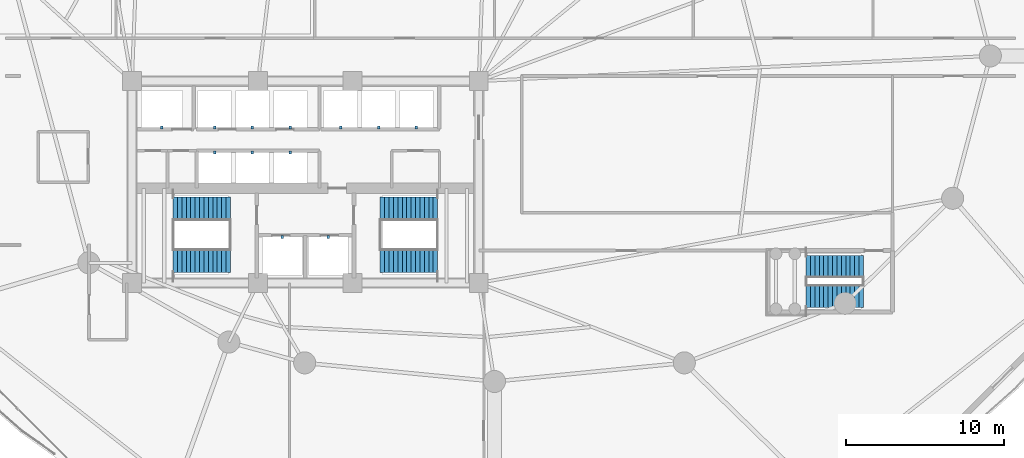
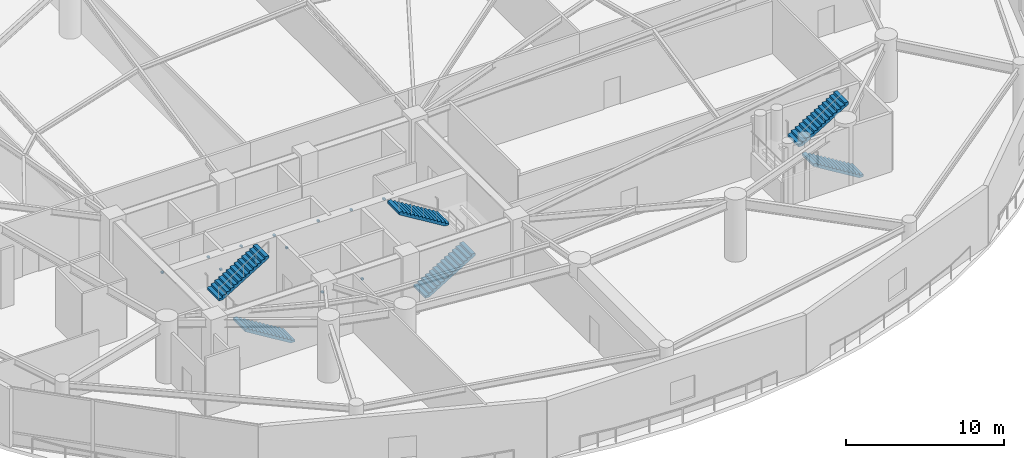
# One storey, part 32 of 36: 12 discrete accessories, 6 stair flights, 3 elements without a shape of their own.
"""IFC4 building model written with IfcOpenShell, lengths in metres."""

import ifcopenshell
import ifcopenshell.guid

model = None  # the IFC model being written
_history = None  # IfcOwnerHistory: only IFC2X3 demands one
_inside = {}  # id of a spatial element -> (the spatial element, [elements in it])
_under = {}  # id of a project, library or spatial element -> (it, [spatial elements below it])
_declared = {}  # id of a project -> (the project, [libraries it declares])
_typed = {}  # id of a type object -> (the type object, [elements of that type])
_made_of = {}  # id of a material, layer set ... -> (it, [elements and type objects made of it])


def new_model(schema):
    """Start an empty IFC model of exactly this schema.

    Asked for "IFC4X3", IfcOpenShell would pick the latest addendum, in which some entities
    have other attributes; the version numbers below select the first issue.
    IFC2X3 requires an IfcOwnerHistory on every rooted entity: one is made here for all.
    """
    global model, _history
    if schema == "IFC4X3":
        model = ifcopenshell.file(schema_version=(4, 3, 0, 0))
    else:
        model = ifcopenshell.file(schema=schema)
    _inside.clear()
    _under.clear()
    _declared.clear()
    _typed.clear()
    _made_of.clear()
    _history = None
    if model.schema == "IFC2X3":
        org = make("IfcOrganization", Name="unknown")
        user = make(
            "IfcPersonAndOrganization",
            ThePerson=make("IfcPerson", FamilyName="unknown"),
            TheOrganization=org,
        )
        app = make(
            "IfcApplication",
            ApplicationDeveloper=org,
            Version="unknown",
            ApplicationFullName="unknown",
            ApplicationIdentifier="unknown",
        )
        _history = make(
            "IfcOwnerHistory",
            OwningUser=user,
            OwningApplication=app,
            ChangeAction="ADDED",
            CreationDate=0,
        )
    return model


def make(cls, **values):
    """One entity of the class cls with the attributes given. An attribute that is None is left unset."""
    return model.create_entity(
        cls, **{name: value for name, value in values.items() if value is not None}
    )


def rooted(cls, **values):
    """An entity with a GlobalId (a new one), such as an element, a storey or a relation."""
    return make(cls, GlobalId=ifcopenshell.guid.new(), OwnerHistory=_history, **values)


def si_unit(unit_type, name, prefix=None):
    """IfcSIUnit, for example si_unit("LENGTHUNIT", "METRE", prefix="MILLI")."""
    return make("IfcSIUnit", UnitType=unit_type, Prefix=prefix, Name=name)


def assignment(units):
    """IfcUnitAssignment: the units of a project."""
    return None if units is None else make("IfcUnitAssignment", Units=units)


def point(xyz):
    """IfcCartesianPoint."""
    return None if xyz is None else make("IfcCartesianPoint", Coordinates=xyz)


def direction(xyz):
    """IfcDirection."""
    return None if xyz is None else make("IfcDirection", DirectionRatios=xyz)


def frame(location, z_axis=None, x_axis=None):
    """IfcAxis2Placement3D, a coordinate frame: its origin and axes. An axis left out is left unset."""
    return make(
        "IfcAxis2Placement3D",
        Location=point(location),
        Axis=direction(z_axis),
        RefDirection=direction(x_axis),
    )


def frame_2d(location, x_axis=None):
    """IfcAxis2Placement2D, a coordinate frame in the plane: its origin and x axis."""
    return make(
        "IfcAxis2Placement2D", Location=point(location), RefDirection=direction(x_axis)
    )


def origin():
    """The frame at (0, 0, 0) with its axes left unset."""
    return frame((0.0, 0.0, 0.0))


def origin_2d():
    """The frame at (0, 0) in the plane with its x axis left unset."""
    return frame_2d((0.0, 0.0))


def place(relative_to, where):
    """IfcLocalPlacement: puts the frame where relative to a parent placement (None: the world)."""
    return make(
        "IfcLocalPlacement", PlacementRelTo=relative_to, RelativePlacement=where
    )


def context(
    kind, dimensions, precision=None, world=None, true_north=None, identifier=None
):
    """IfcGeometricRepresentationContext, for example the 3D "Model" context."""
    return make(
        "IfcGeometricRepresentationContext",
        ContextIdentifier=identifier,
        ContextType=kind,
        CoordinateSpaceDimension=dimensions,
        Precision=precision,
        WorldCoordinateSystem=world,
        TrueNorth=true_north,
    )


def subcontext(parent, identifier, kind, view, scale=None):
    """IfcGeometricRepresentationSubContext, for example "Body" below "Model"."""
    return make(
        "IfcGeometricRepresentationSubContext",
        ContextIdentifier=identifier,
        ContextType=kind,
        ParentContext=parent,
        TargetScale=scale,
        TargetView=view,
    )


def project(units=None, contexts=None):
    """IfcProject with its units and contexts."""
    return rooted(
        "IfcProject",
        Name="project",
        RepresentationContexts=contexts,
        UnitsInContext=assignment(units),
    )


def spatial(cls, under=None, at=None, **own):
    """A site, building, storey or space (cls), placed at a placement, below another one or the project."""
    s = rooted(cls, ObjectPlacement=at, **own)
    if under is not None:
        _under.setdefault(under.id(), (under, []))[1].append(s)
    return s


def polyline(points):
    """IfcPolyline through the points."""
    return make("IfcPolyline", Points=[point(p) for p in points])


def profile(cls, at=None, kind="AREA", **sizes):
    """A parametric profile (cls). Its sizes go by their IFC names, for example OverallWidth=200.0."""
    return make(cls, ProfileType=kind, Position=at, **sizes)


def rectangle(**sizes):
    """IfcRectangleProfileDef."""
    return profile("IfcRectangleProfileDef", **sizes)


def outline(outer, holes=None, kind="AREA"):
    """IfcArbitraryClosedProfileDef: a profile drawn as a closed curve; with holes, ...WithVoids."""
    if holes is None:
        return make("IfcArbitraryClosedProfileDef", ProfileType=kind, OuterCurve=outer)
    return make(
        "IfcArbitraryProfileDefWithVoids",
        ProfileType=kind,
        OuterCurve=outer,
        InnerCurves=holes,
    )


def extrude(swept, where, along, depth):
    """IfcExtrudedAreaSolid: the profile swept, set in the frame where, extruded along a direction by depth."""
    return make(
        "IfcExtrudedAreaSolid",
        SweptArea=swept,
        Position=where,
        ExtrudedDirection=direction(along),
        Depth=depth,
    )


def shape(context_of_items, identifier, shape_type, items):
    """IfcShapeRepresentation: the items that make up one representation, for example the "Body"."""
    return make(
        "IfcShapeRepresentation",
        ContextOfItems=context_of_items,
        RepresentationIdentifier=identifier,
        RepresentationType=shape_type,
        Items=items,
    )


def material(Name=None, Category=None):
    """IfcMaterial."""
    return make("IfcMaterial", Name=Name, Category=Category)


def layer(
    of_material, thickness, ventilated=None, Name=None, Category=None, Priority=None
):
    """IfcMaterialLayer: one layer of a wall or slab, of a material (None: an air gap)."""
    return make(
        "IfcMaterialLayer",
        Material=of_material,
        LayerThickness=thickness,
        IsVentilated=ventilated,
        Name=Name,
        Category=Category,
        Priority=Priority,
    )


def layer_set(layers, Name=None):
    """IfcMaterialLayerSet."""
    return make("IfcMaterialLayerSet", MaterialLayers=layers, LayerSetName=Name)


def made_of(thing, what):
    """Note that an element or type object is made of a material, layer set ...; save() writes the relation."""
    if what is not None:
        _made_of.setdefault(what.id(), (what, []))[1].append(thing)
    return thing


def type_object(cls, material=None, **own):
    """A type object (cls), such as IfcWallType, which elements share."""
    return made_of(rooted(cls, **own), material)


def element(
    cls,
    number,
    at=None,
    inside=None,
    cuts=None,
    type_object=None,
    material=None,
    context=None,
    identifier="Body",
    shape_type=None,
    held_by="IfcProductDefinitionShape",
    body=None,
    shapes=None,
    **own,
):
    """One element of the class cls, such as IfcWall. Its Tag is "e" and its number.

    at: its placement. inside: the storey or other place that contains it. cuts: it is an
    opening in that element (IfcRelVoidsElement). A single representation is given by context,
    identifier, shape_type and body (its items); several are given by shapes. held_by: the class
    of the entity that holds the representations. save() writes the other relations.
    """
    e = rooted(cls, Tag="e%d" % number, ObjectPlacement=at, **own)
    if body is not None:
        shapes = [shape(context, identifier, shape_type, body)]
    if shapes is not None:
        e.Representation = make(held_by, Representations=shapes)
    if inside is not None:
        _inside.setdefault(inside.id(), (inside, []))[1].append(e)
    if cuts is not None:
        rooted(
            "IfcRelVoidsElement", RelatingBuildingElement=cuts, RelatedOpeningElement=e
        )
    if type_object is not None:
        _typed.setdefault(type_object.id(), (type_object, []))[1].append(e)
    return made_of(e, material)


def aggregate(whole, parts):
    """IfcRelAggregates: a whole, such as a stair, and the parts it consists of."""
    return rooted("IfcRelAggregates", RelatingObject=whole, RelatedObjects=parts)


def save(model, path):
    """Write the relations noted so far, then the file.

    IfcRelAggregates (storeys below a building ...), IfcRelContainedInSpatialStructure (elements
    in a storey), IfcRelDefinesByType, IfcRelAssociatesMaterial and IfcRelDeclares: one each for
    every whole, place, type object, material and project.
    """
    for whole, parts in _under.values():
        aggregate(whole, parts)
    for where, things in _inside.values():
        rooted(
            "IfcRelContainedInSpatialStructure",
            RelatedElements=things,
            RelatingStructure=where,
        )
    for kind, things in _typed.values():
        rooted("IfcRelDefinesByType", RelatedObjects=things, RelatingType=kind)
    for what, things in _made_of.values():
        rooted("IfcRelAssociatesMaterial", RelatedObjects=things, RelatingMaterial=what)
    for by, libraries in _declared.values():
        rooted("IfcRelDeclares", RelatingContext=by, RelatedDefinitions=libraries)
    model.write(path)


model = new_model("IFC4")

# Units and contexts
model_context = context("Model", 3, precision=1e-05, world=origin(), true_north=direction((0.0, 1.0)))
body_context = subcontext(model_context, "Body", "Model", "MODEL_VIEW")
ifc_project = project(units=[si_unit("LENGTHUNIT", "METRE"), si_unit("AREAUNIT", "SQUARE_METRE"), si_unit("VOLUMEUNIT", "CUBIC_METRE"), si_unit("PLANEANGLEUNIT", "RADIAN"), si_unit("MASSUNIT", "GRAM", prefix="KILO")], contexts=[model_context])

# Site, building, storey
site_placement = place(None, origin())
site = spatial("IfcSite", under=ifc_project, at=site_placement, CompositionType="ELEMENT")
building_placement = place(site_placement, origin())
building = spatial("IfcBuilding", under=site, at=building_placement, Name="Kazevale Care Tower and Concert Hall", CompositionType="ELEMENT")
storey_placement = place(building_placement, frame((0.0, 0.0, 14.39990234375)))
storey = spatial("IfcBuildingStorey", under=building, at=storey_placement, Name="L03", CompositionType="ELEMENT", Elevation=14.39990234375)

# Stair, stair flights
ifc_material_1 = material(Name="Concrete C40", Category="concrete")
stair_type_1 = type_object("IfcStairType", Name="Exit Stair Assembly ST1-P", PredefinedType="HALF_TURN_STAIR", material=ifc_material_1)
stair_1_placement = place(storey_placement, origin())
stair_1 = element("IfcStair", 1, at=stair_1_placement, inside=storey, type_object=stair_type_1, Name="stair:L03:ST1", PredefinedType="HALF_TURN_STAIR")
ifc_layer_1 = layer(ifc_material_1, 0.159912109375)
ifc_layer_set_1 = layer_set([ifc_layer_1], Name="Concrete C40")
stair_flight_type_1 = type_object("IfcStairFlightType", Name="Exit Stair Flight ST1-P", PredefinedType="STRAIGHT", material=ifc_layer_set_1)
stair_flight_1_placement = place(storey_placement, frame((28.25, 25.0, 0.0), z_axis=(0.0, 0.0, 1.0), x_axis=(-1.0, 0.0, 0.0)))
stair_flight_1 = element("IfcStairFlight", 2, at=stair_flight_1_placement, type_object=stair_flight_type_1, Name="ST1-P flight 1", NumberOfRisers=14, NumberOfTreads=13, PredefinedType="STRAIGHT", RiserHeight=0.171429, TreadLength=0.28, context=body_context, shape_type="SweptSolid", body=[
    extrude(outline(polyline([(0.0, 0.0), (0.0, 0.17138671875), (0.280029296875, 0.17138671875), (0.280029296875, 0.3427734375), (0.56005859375, 0.3427734375), (0.56005859375, 0.514404296875), (0.840087890625, 0.514404296875), (0.840087890625, 0.685791015625), (1.1201171875, 0.685791015625), (1.1201171875, 0.857177734375), (1.39990234375, 0.857177734375), (1.39990234375, 1.028564453125), (1.679931640625, 1.028564453125), (1.679931640625, 1.199951171875), (1.9599609375, 1.199951171875), (1.9599609375, 1.371337890625), (2.239990234375, 1.371337890625), (2.239990234375, 1.54296875), (2.52001953125, 1.54296875), (2.52001953125, 1.71435546875), (2.800048828125, 1.71435546875), (2.800048828125, 1.8857421875), (3.080078125, 1.8857421875), (3.080078125, 2.05712890625), (3.360107421875, 2.05712890625), (3.360107421875, 2.228515625), (3.639892578125, 2.228515625), (3.639892578125, 2.39990234375), (3.639892578125, 2.041015625), (0.30615234375, 0.0), (0.0, 0.0)])), frame((0.0, 0.75, 0.0), z_axis=(0.0, -1.0, 0.0), x_axis=(1.0, 0.0, 0.0)), (0.0, 0.0, 1.0), 1.5),
])
stair_flight_2_placement = place(storey_placement, frame((24.610107421875, 28.300048828125, 2.400146484375), z_axis=(0.0, 0.0, 1.0), x_axis=(1.0, 0.0, 0.0)))
stair_flight_2 = element("IfcStairFlight", 3, at=stair_flight_2_placement, type_object=stair_flight_type_1, Name="ST1-P flight 2", NumberOfRisers=14, NumberOfTreads=13, PredefinedType="STRAIGHT", RiserHeight=0.171429, TreadLength=0.28, context=body_context, shape_type="SweptSolid", body=[
    extrude(outline(polyline([(0.0, 0.0), (0.0, 0.17138671875), (0.280029296875, 0.17138671875), (0.280029296875, 0.3427734375), (0.56005859375, 0.3427734375), (0.56005859375, 0.514404296875), (0.840087890625, 0.514404296875), (0.840087890625, 0.685791015625), (1.1201171875, 0.685791015625), (1.1201171875, 0.857177734375), (1.39990234375, 0.857177734375), (1.39990234375, 1.028564453125), (1.679931640625, 1.028564453125), (1.679931640625, 1.199951171875), (1.9599609375, 1.199951171875), (1.9599609375, 1.371337890625), (2.239990234375, 1.371337890625), (2.239990234375, 1.54296875), (2.52001953125, 1.54296875), (2.52001953125, 1.71435546875), (2.800048828125, 1.71435546875), (2.800048828125, 1.8857421875), (3.080078125, 1.8857421875), (3.080078125, 2.05712890625), (3.360107421875, 2.05712890625), (3.360107421875, 2.228515625), (3.639892578125, 2.228515625), (3.639892578125, 2.39990234375), (3.639892578125, 2.041015625), (0.30615234375, 0.0), (0.0, 0.0)])), frame((0.0, 0.75, 0.0), z_axis=(0.0, -1.0, 0.0), x_axis=(1.0, 0.0, 0.0)), (0.0, 0.0, 1.0), 1.5),
])
aggregate(stair_1, [stair_flight_1, stair_flight_2])

stair_2_placement = place(storey_placement, origin())
stair_2 = element("IfcStair", 4, at=stair_2_placement, inside=storey, type_object=stair_type_1, Name="stair:L03:ST2", PredefinedType="HALF_TURN_STAIR")
stair_flight_3_placement = place(storey_placement, frame((37.75, 25.0, 0.0), z_axis=(0.0, 0.0, 1.0), x_axis=(1.0, 0.0, 0.0)))
stair_flight_3 = element("IfcStairFlight", 5, at=stair_flight_3_placement, type_object=stair_flight_type_1, Name="ST1-P flight 1", NumberOfRisers=14, NumberOfTreads=13, PredefinedType="STRAIGHT", RiserHeight=0.171429, TreadLength=0.28, context=body_context, shape_type="SweptSolid", body=[
    extrude(outline(polyline([(0.0, 0.0), (0.0, 0.17138671875), (0.280029296875, 0.17138671875), (0.280029296875, 0.3427734375), (0.56005859375, 0.3427734375), (0.56005859375, 0.514404296875), (0.840087890625, 0.514404296875), (0.840087890625, 0.685791015625), (1.1201171875, 0.685791015625), (1.1201171875, 0.857177734375), (1.39990234375, 0.857177734375), (1.39990234375, 1.028564453125), (1.679931640625, 1.028564453125), (1.679931640625, 1.199951171875), (1.9599609375, 1.199951171875), (1.9599609375, 1.371337890625), (2.239990234375, 1.371337890625), (2.239990234375, 1.54296875), (2.52001953125, 1.54296875), (2.52001953125, 1.71435546875), (2.800048828125, 1.71435546875), (2.800048828125, 1.8857421875), (3.080078125, 1.8857421875), (3.080078125, 2.05712890625), (3.360107421875, 2.05712890625), (3.360107421875, 2.228515625), (3.639892578125, 2.228515625), (3.639892578125, 2.39990234375), (3.639892578125, 2.041015625), (0.30615234375, 0.0), (0.0, 0.0)])), frame((0.0, 0.75, 0.0), z_axis=(0.0, -1.0, 0.0), x_axis=(1.0, 0.0, 0.0)), (0.0, 0.0, 1.0), 1.5),
])
stair_flight_4_placement = place(storey_placement, frame((41.389892578125, 28.300048828125, 2.400146484375), z_axis=(0.0, 0.0, 1.0), x_axis=(-1.0, 0.0, 0.0)))
stair_flight_4 = element("IfcStairFlight", 6, at=stair_flight_4_placement, type_object=stair_flight_type_1, Name="ST1-P flight 2", NumberOfRisers=14, NumberOfTreads=13, PredefinedType="STRAIGHT", RiserHeight=0.171429, TreadLength=0.28, context=body_context, shape_type="SweptSolid", body=[
    extrude(outline(polyline([(0.0, 0.0), (0.0, 0.17138671875), (0.280029296875, 0.17138671875), (0.280029296875, 0.3427734375), (0.56005859375, 0.3427734375), (0.56005859375, 0.514404296875), (0.840087890625, 0.514404296875), (0.840087890625, 0.685791015625), (1.1201171875, 0.685791015625), (1.1201171875, 0.857177734375), (1.39990234375, 0.857177734375), (1.39990234375, 1.028564453125), (1.679931640625, 1.028564453125), (1.679931640625, 1.199951171875), (1.9599609375, 1.199951171875), (1.9599609375, 1.371337890625), (2.239990234375, 1.371337890625), (2.239990234375, 1.54296875), (2.52001953125, 1.54296875), (2.52001953125, 1.71435546875), (2.800048828125, 1.71435546875), (2.800048828125, 1.8857421875), (3.080078125, 1.8857421875), (3.080078125, 2.05712890625), (3.360107421875, 2.05712890625), (3.360107421875, 2.228515625), (3.639892578125, 2.228515625), (3.639892578125, 2.39990234375), (3.639892578125, 2.041015625), (0.30615234375, 0.0), (0.0, 0.0)])), frame((0.0, 0.75, 0.0), z_axis=(0.0, -1.0, 0.0), x_axis=(1.0, 0.0, 0.0)), (0.0, 0.0, 1.0), 1.5),
])
aggregate(stair_2, [stair_flight_3, stair_flight_4])

stair_type_2 = type_object("IfcStairType", Name="Exit Stair Assembly ST3-P", PredefinedType="HALF_TURN_STAIR", material=ifc_material_1)
stair_3_placement = place(storey_placement, origin())
stair_3 = element("IfcStair", 7, at=stair_3_placement, inside=storey, type_object=stair_type_2, Name="stair:L03:ST3", PredefinedType="HALF_TURN_STAIR")
ifc_layer_2 = layer(ifc_material_1, 0.159912109375)
ifc_layer_set_2 = layer_set([ifc_layer_2], Name="Concrete C40")
stair_flight_type_2 = type_object("IfcStairFlightType", Name="Exit Stair Flight ST3-P", PredefinedType="STRAIGHT", material=ifc_layer_set_2)
stair_flight_5_placement = place(storey_placement, frame((68.39990234375, 22.764892578125, 0.0), z_axis=(0.0, 0.0, 1.0), x_axis=(-1.0, 0.0, 0.0)))
stair_flight_5 = element("IfcStairFlight", 8, at=stair_flight_5_placement, type_object=stair_flight_type_2, Name="ST3-P flight 1", NumberOfRisers=14, NumberOfTreads=13, PredefinedType="STRAIGHT", RiserHeight=0.171429, TreadLength=0.28, context=body_context, shape_type="SweptSolid", body=[
    extrude(outline(polyline([(0.0, 0.0), (0.0, 0.17138671875), (0.280029296875, 0.17138671875), (0.280029296875, 0.3427734375), (0.56005859375, 0.3427734375), (0.56005859375, 0.514404296875), (0.840087890625, 0.514404296875), (0.840087890625, 0.685791015625), (1.1201171875, 0.685791015625), (1.1201171875, 0.857177734375), (1.39990234375, 0.857177734375), (1.39990234375, 1.028564453125), (1.679931640625, 1.028564453125), (1.679931640625, 1.199951171875), (1.9599609375, 1.199951171875), (1.9599609375, 1.371337890625), (2.239990234375, 1.371337890625), (2.239990234375, 1.54296875), (2.52001953125, 1.54296875), (2.52001953125, 1.71435546875), (2.800048828125, 1.71435546875), (2.800048828125, 1.8857421875), (3.080078125, 1.8857421875), (3.080078125, 2.05712890625), (3.360107421875, 2.05712890625), (3.360107421875, 2.228515625), (3.639892578125, 2.228515625), (3.639892578125, 2.39990234375), (3.639892578125, 2.041015625), (0.30615234375, 0.0), (0.0, 0.0)])), frame((0.0, 0.71484375, 0.0), z_axis=(0.0, -1.0, 0.0), x_axis=(1.0, 0.0, 0.0)), (0.0, 0.0, 1.0), 1.429931640625),
])
stair_flight_6_placement = place(storey_placement, frame((64.760009765625, 24.635009765625, 2.400146484375), z_axis=(0.0, 0.0, 1.0), x_axis=(1.0, 0.0, 0.0)))
stair_flight_6 = element("IfcStairFlight", 9, at=stair_flight_6_placement, type_object=stair_flight_type_2, Name="ST3-P flight 2", NumberOfRisers=14, NumberOfTreads=13, PredefinedType="STRAIGHT", RiserHeight=0.171429, TreadLength=0.28, context=body_context, shape_type="SweptSolid", body=[
    extrude(outline(polyline([(0.0, 0.0), (0.0, 0.17138671875), (0.280029296875, 0.17138671875), (0.280029296875, 0.3427734375), (0.56005859375, 0.3427734375), (0.56005859375, 0.514404296875), (0.840087890625, 0.514404296875), (0.840087890625, 0.685791015625), (1.1201171875, 0.685791015625), (1.1201171875, 0.857177734375), (1.39990234375, 0.857177734375), (1.39990234375, 1.028564453125), (1.679931640625, 1.028564453125), (1.679931640625, 1.199951171875), (1.9599609375, 1.199951171875), (1.9599609375, 1.371337890625), (2.239990234375, 1.371337890625), (2.239990234375, 1.54296875), (2.52001953125, 1.54296875), (2.52001953125, 1.71435546875), (2.800048828125, 1.71435546875), (2.800048828125, 1.8857421875), (3.080078125, 1.8857421875), (3.080078125, 2.05712890625), (3.360107421875, 2.05712890625), (3.360107421875, 2.228515625), (3.639892578125, 2.228515625), (3.639892578125, 2.39990234375), (3.639892578125, 2.041015625), (0.30615234375, 0.0), (0.0, 0.0)])), frame((0.0, 0.71484375, 0.0), z_axis=(0.0, -1.0, 0.0), x_axis=(1.0, 0.0, 0.0)), (0.0, 0.0, 1.0), 1.429931640625),
])
aggregate(stair_3, [stair_flight_5, stair_flight_6])

# Discrete accessories
ifc_material_2 = material(Name="Stainless Steel 316", Category="steel")
discrete_accessory_type = type_object("IfcDiscreteAccessoryType", Name="Hoistway Guide-Rail Wall Bracket HBRK-1", PredefinedType="BRACKET", material=ifc_material_2)
for number, where, z_axis, x_axis, name in (
    (10, (31.550048828125, 26.52001953125, 1.239990234375), (0.0, 0.0, 1.0), (1.0, 0.0, 0.0), "hbrk:FFL-1:L03"),
    (11, (34.449951171875, 26.52001953125, 1.239990234375), (0.0, 0.0, 1.0), (1.0, 0.0, 0.0), "hbrk:FFL-2:L03"),
    (12, (23.89990234375, 33.449951171875, 1.239990234375), (0.0, 0.0, 1.0), (1.0, 0.0, 0.0), "hbrk:SVL-1:L03"),
    (13, (27.25, 33.449951171875, 1.239990234375), (0.0, 0.0, 1.0), (1.0, 0.0, 0.0), "hbrk:PL-1:L03"),
    (14, (29.64990234375, 33.449951171875, 1.239990234375), (0.0, 0.0, 1.0), (1.0, 0.0, 0.0), "hbrk:PL-2:L03"),
    (15, (32.050048828125, 33.449951171875, 1.239990234375), (0.0, 0.0, 1.0), (1.0, 0.0, 0.0), "hbrk:PL-3:L03"),
    (16, (35.25, 33.449951171875, 1.239990234375), (0.0, 0.0, 1.0), (1.0, 0.0, 0.0), "hbrk:PM-1:L03"),
    (17, (37.64990234375, 33.449951171875, 1.239990234375), (0.0, 0.0, 1.0), (1.0, 0.0, 0.0), "hbrk:PM-2:L03"),
    (18, (40.050048828125, 33.449951171875, 1.239990234375), (0.0, 0.0, 1.0), (1.0, 0.0, 0.0), "hbrk:PM-3:L03"),
    (19, (27.25, 31.8798828125, 1.239990234375), (0.0, 0.0, 1.0), (1.0, 0.0, 0.0), "hbrk:PH-1:L03"),
    (20, (29.64990234375, 31.8798828125, 1.239990234375), (0.0, 0.0, 1.0), (1.0, 0.0, 0.0), "hbrk:PH-2:L03"),
    (21, (32.050048828125, 31.8798828125, 1.239990234375), (0.0, 0.0, 1.0), (1.0, 0.0, 0.0), "hbrk:PH-3:L03"),
):
    element("IfcDiscreteAccessory", number, at=place(storey_placement, frame(where, z_axis=z_axis, x_axis=x_axis)), inside=storey, type_object=discrete_accessory_type, Name=name, PredefinedType="BRACKET", context=body_context, shape_type="SweptSolid", body=[
        extrude(rectangle(XDim=0.159912109375, YDim=0.179931640625, at=origin_2d()), origin(), (0.0, 0.0, 1.0), 0.1201171875),
    ])

save(model, "model.ifc")
